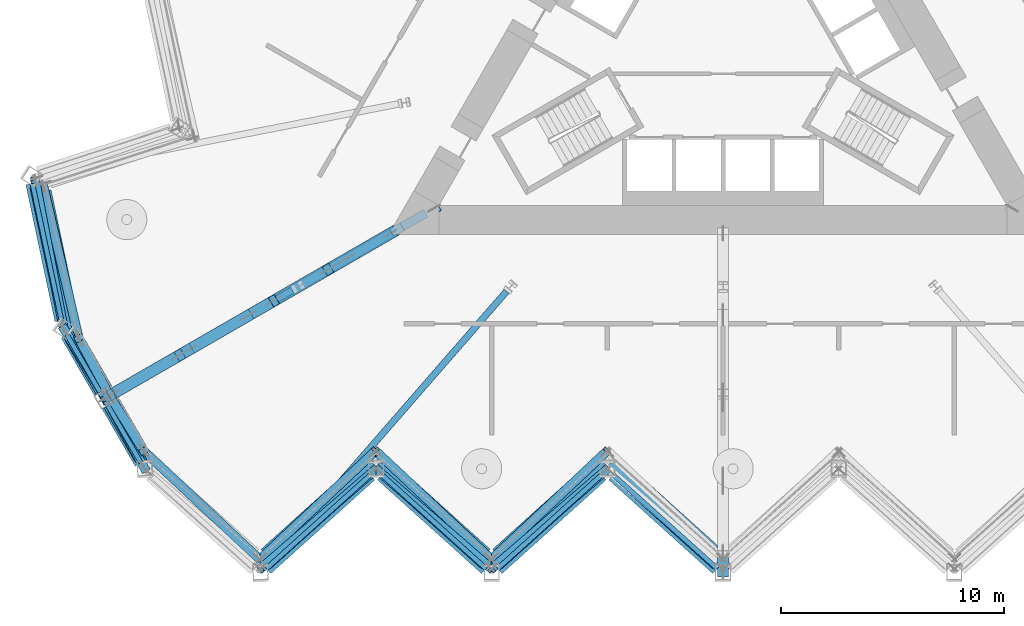
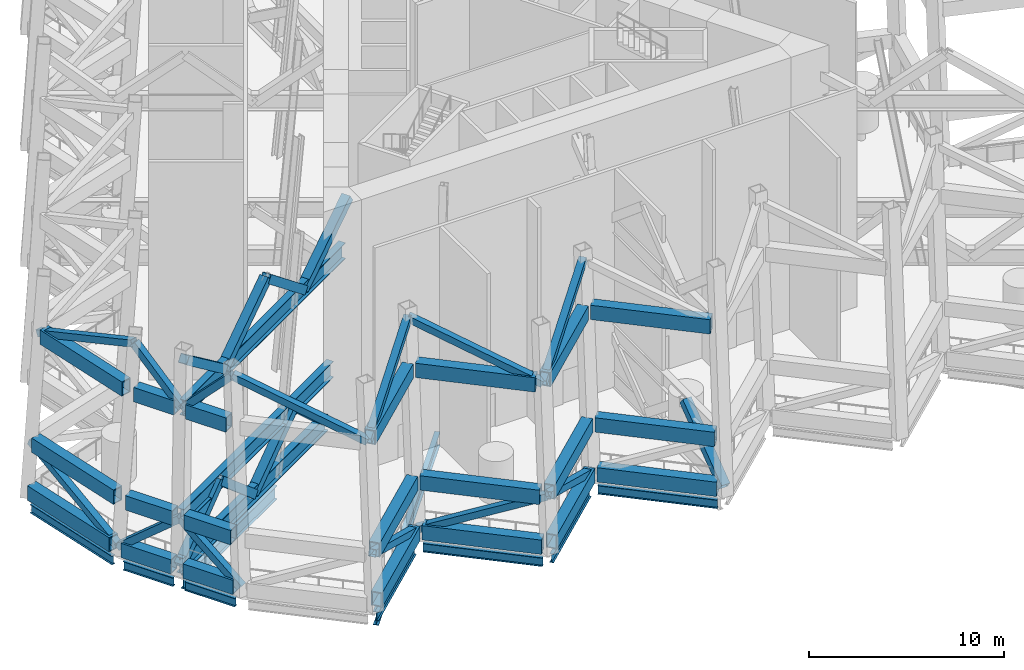
# One storey, part 2 of 19: 46 members, 9 beams.
"""IFC4 building model written with IfcOpenShell, lengths in metres."""

from ifc_helpers import new_model, si_unit, direction, frame, origin, origin_2d, place, context, subcontext, project, spatial, hollow_rectangle, i_section, extrude, material, material_profile, profile_set, type_object, element, save


model = new_model("IFC4")

# Units and contexts
model_context = context("Model", 3, precision=1e-05, world=origin(), true_north=direction((0.0, 1.0)))
body_context = subcontext(model_context, "Body", "Model", "MODEL_VIEW")
ifc_project = project(units=[si_unit("LENGTHUNIT", "METRE"), si_unit("AREAUNIT", "SQUARE_METRE"), si_unit("VOLUMEUNIT", "CUBIC_METRE"), si_unit("PLANEANGLEUNIT", "RADIAN"), si_unit("MASSUNIT", "GRAM", prefix="KILO")], contexts=[model_context])

# Site, building, storey
site_placement = place(None, origin())
site = spatial("IfcSite", under=ifc_project, at=site_placement, CompositionType="ELEMENT")
building_placement = place(site_placement, origin())
building = spatial("IfcBuilding", under=site, at=building_placement, Name="Cormorant Prow Tower", CompositionType="ELEMENT")
storey_placement = place(building_placement, frame((0.0, 0.0, 287.800048828125)))
storey = spatial("IfcBuildingStorey", under=building, at=storey_placement, Name="L64", CompositionType="ELEMENT", Elevation=287.800048828125)

# Members
ifc_material_1 = material(Name="Structural steel ASTM A572 Gr 50", Category="steel")
ifc_material_profile_1 = material_profile(ifc_material_1, hollow_rectangle(XDim=0.60009765625, YDim=0.89990234375, WallThickness=0.06005859375, at=origin_2d()), Name="Box 900x600x60")
ifc_profile_set_1 = profile_set([ifc_material_profile_1], Name="Structural steel ASTM A572 Gr 50")
member_type_1 = type_object("IfcMemberType", Name="Belt truss bottom chord 900x600x60", PredefinedType="CHORD", material=ifc_profile_set_1)
member_1_placement = place(storey_placement, frame((-20.492919921875, -23.65283203125, 0.449951171875), z_axis=(0.743156918576, 0.669117175368, 0.0), x_axis=(-0.669117175368, 0.743156918576, 0.0)))
element("IfcMember", 1, at=member_1_placement, inside=storey, type_object=member_type_1, Name="Belt truss bottom chord S01-S02 L64", PredefinedType="CHORD", context=body_context, shape_type="SweptSolid", body=[
    extrude(hollow_rectangle(XDim=0.60009765625, YDim=0.89990234375, WallThickness=0.06005859375, at=origin_2d()), origin(), (0.0, 0.0, 1.0), 6.281494140625),
])
member_2_placement = place(storey_placement, frame((-20.503662109375, -23.43603515625, 3.449951171875), z_axis=(0.743174381453, 0.669097779664, 0.0), x_axis=(-0.669097779664, 0.743174381453, 0.0)))
element("IfcMember", 2, at=member_2_placement, inside=storey, type_object=member_type_1, Name="Belt truss intermediate chord S01-S02 L64 level 1", PredefinedType="CHORD", context=body_context, shape_type="SweptSolid", body=[
    extrude(hollow_rectangle(XDim=0.60009765625, YDim=0.89990234375, WallThickness=0.06005859375, at=origin_2d()), origin(), (0.0, 0.0, 1.0), 6.28515625),
])
member_3_placement = place(storey_placement, frame((-20.524658203125, -23.00927734375, 10.25), z_axis=(0.743153289004, 0.669121206541, 0.0), x_axis=(-0.669121206541, 0.743153289004, 0.0)))
element("IfcMember", 3, at=member_3_placement, inside=storey, type_object=member_type_1, Name="Belt truss intermediate chord S01-S02 L64 level 2", PredefinedType="CHORD", context=body_context, shape_type="SweptSolid", body=[
    extrude(hollow_rectangle(XDim=0.60009765625, YDim=0.89990234375, WallThickness=0.06005859375, at=origin_2d()), origin(), (0.0, 0.0, 1.0), 6.292236328125),
])
member_4_placement = place(storey_placement, frame((-15.3046875, -19.44970703125, 0.449951171875), z_axis=(0.743156918576, -0.669117175368, 0.0), x_axis=(0.669117175368, 0.743156918576, 0.0)))
element("IfcMember", 4, at=member_4_placement, inside=storey, type_object=member_type_1, Name="Belt truss bottom chord S02-S03 L64", PredefinedType="CHORD", context=body_context, shape_type="SweptSolid", body=[
    extrude(hollow_rectangle(XDim=0.60009765625, YDim=0.89990234375, WallThickness=0.06005859375, at=origin_2d()), origin(), (0.0, 0.0, 1.0), 6.281494140625),
])
member_5_placement = place(storey_placement, frame((-15.312744140625, -19.230712890625, 3.449951171875), z_axis=(0.743174381453, -0.669097779664, 0.0), x_axis=(0.669097779664, 0.743174381453, 0.0)))
element("IfcMember", 5, at=member_5_placement, inside=storey, type_object=member_type_1, Name="Belt truss intermediate chord S02-S03 L64 level 1", PredefinedType="CHORD", context=body_context, shape_type="SweptSolid", body=[
    extrude(hollow_rectangle(XDim=0.60009765625, YDim=0.89990234375, WallThickness=0.06005859375, at=origin_2d()), origin(), (0.0, 0.0, 1.0), 6.28515625),
])
member_6_placement = place(storey_placement, frame((-15.328369140625, -18.799072265625, 10.25), z_axis=(0.743153289004, -0.669121206541, 0.0), x_axis=(0.669121206541, 0.743153289004, 0.0)))
element("IfcMember", 6, at=member_6_placement, inside=storey, type_object=member_type_1, Name="Belt truss intermediate chord S02-S03 L64 level 2", PredefinedType="CHORD", context=body_context, shape_type="SweptSolid", body=[
    extrude(hollow_rectangle(XDim=0.60009765625, YDim=0.89990234375, WallThickness=0.06005859375, at=origin_2d()), origin(), (0.0, 0.0, 1.0), 6.292236328125),
])
member_7_placement = place(storey_placement, frame((-10.116455078125, -23.65283203125, 0.449951171875), z_axis=(0.743156918576, 0.669117175368, 0.0), x_axis=(-0.669117175368, 0.743156918576, 0.0)))
element("IfcMember", 7, at=member_7_placement, inside=storey, type_object=member_type_1, Name="Belt truss bottom chord S03-S04 L64", PredefinedType="CHORD", context=body_context, shape_type="SweptSolid", body=[
    extrude(hollow_rectangle(XDim=0.60009765625, YDim=0.89990234375, WallThickness=0.06005859375, at=origin_2d()), origin(), (0.0, 0.0, 1.0), 6.281494140625),
])
member_8_placement = place(storey_placement, frame((-10.121826171875, -23.43603515625, 3.449951171875), z_axis=(0.743174381453, 0.669097779664, 0.0), x_axis=(-0.669097779664, 0.743174381453, 0.0)))
element("IfcMember", 8, at=member_8_placement, inside=storey, type_object=member_type_1, Name="Belt truss intermediate chord S03-S04 L64 level 1", PredefinedType="CHORD", context=body_context, shape_type="SweptSolid", body=[
    extrude(hollow_rectangle(XDim=0.60009765625, YDim=0.89990234375, WallThickness=0.06005859375, at=origin_2d()), origin(), (0.0, 0.0, 1.0), 6.28515625),
])
member_9_placement = place(storey_placement, frame((-10.13232421875, -23.00927734375, 10.25), z_axis=(0.743153289004, 0.669121206541, 0.0), x_axis=(-0.669121206541, 0.743153289004, 0.0)))
element("IfcMember", 9, at=member_9_placement, inside=storey, type_object=member_type_1, Name="Belt truss intermediate chord S03-S04 L64 level 2", PredefinedType="CHORD", context=body_context, shape_type="SweptSolid", body=[
    extrude(hollow_rectangle(XDim=0.60009765625, YDim=0.89990234375, WallThickness=0.06005859375, at=origin_2d()), origin(), (0.0, 0.0, 1.0), 6.292236328125),
])
member_10_placement = place(storey_placement, frame((-4.92822265625, -19.44970703125, 0.449951171875), z_axis=(0.743156918576, -0.669117175368, 0.0), x_axis=(0.669117175368, 0.743156918576, 0.0)))
element("IfcMember", 10, at=member_10_placement, inside=storey, type_object=member_type_1, Name="Belt truss bottom chord S04-S05 L64", PredefinedType="CHORD", context=body_context, shape_type="SweptSolid", body=[
    extrude(hollow_rectangle(XDim=0.60009765625, YDim=0.89990234375, WallThickness=0.06005859375, at=origin_2d()), origin(), (0.0, 0.0, 1.0), 6.281494140625),
])
member_11_placement = place(storey_placement, frame((-4.930908203125, -19.230712890625, 3.449951171875), z_axis=(0.743174381453, -0.669097779664, 0.0), x_axis=(0.669097779664, 0.743174381453, 0.0)))
element("IfcMember", 11, at=member_11_placement, inside=storey, type_object=member_type_1, Name="Belt truss intermediate chord S04-S05 L64 level 1", PredefinedType="CHORD", context=body_context, shape_type="SweptSolid", body=[
    extrude(hollow_rectangle(XDim=0.60009765625, YDim=0.89990234375, WallThickness=0.06005859375, at=origin_2d()), origin(), (0.0, 0.0, 1.0), 6.28515625),
])
member_12_placement = place(storey_placement, frame((-4.93603515625, -18.799072265625, 10.25), z_axis=(0.743153289004, -0.669121206541, 0.0), x_axis=(0.669121206541, 0.743153289004, 0.0)))
element("IfcMember", 12, at=member_12_placement, inside=storey, type_object=member_type_1, Name="Belt truss intermediate chord S04-S05 L64 level 2", PredefinedType="CHORD", context=body_context, shape_type="SweptSolid", body=[
    extrude(hollow_rectangle(XDim=0.60009765625, YDim=0.89990234375, WallThickness=0.06005859375, at=origin_2d()), origin(), (0.0, 0.0, 1.0), 6.292236328125),
])
member_13_placement = place(storey_placement, frame((-30.990478515625, -6.37158203125, 0.449951171875), z_axis=(0.207941499013, -0.978141264331, 0.0), x_axis=(0.978141264331, 0.207941499013, 0.0)))
element("IfcMember", 13, at=member_13_placement, inside=storey, type_object=member_type_1, Name="Belt truss bottom chord WNW09-WSW00 L64", PredefinedType="CHORD", context=body_context, shape_type="SweptSolid", body=[
    extrude(hollow_rectangle(XDim=0.60009765625, YDim=0.89990234375, WallThickness=0.06005859375, at=origin_2d()), origin(), (0.0, 0.0, 1.0), 6.28125),
])
member_14_placement = place(storey_placement, frame((-30.80810546875, -6.489013671875, 3.449951171875), z_axis=(0.207897315893, -0.978150656108, 0.0), x_axis=(0.978150656108, 0.207897315893, 0.0)))
element("IfcMember", 14, at=member_14_placement, inside=storey, type_object=member_type_1, Name="Belt truss intermediate chord WNW09-WSW00 L64 level 1", PredefinedType="CHORD", context=body_context, shape_type="SweptSolid", body=[
    extrude(hollow_rectangle(XDim=0.60009765625, YDim=0.89990234375, WallThickness=0.06005859375, at=origin_2d()), origin(), (0.0, 0.0, 1.0), 6.284912109375),
])
member_15_placement = place(storey_placement, frame((-30.448974609375, -6.720703125, 10.25), z_axis=(0.207899129292, -0.978150270684, 0.0), x_axis=(0.978150270684, 0.207899129292, 0.0)))
element("IfcMember", 15, at=member_15_placement, inside=storey, type_object=member_type_1, Name="Belt truss intermediate chord WNW09-WSW00 L64 level 2", PredefinedType="CHORD", context=body_context, shape_type="SweptSolid", body=[
    extrude(hollow_rectangle(XDim=0.60009765625, YDim=0.89990234375, WallThickness=0.06005859375, at=origin_2d()), origin(), (0.0, 0.0, 1.0), 6.2919921875),
])
member_16_placement = place(storey_placement, frame((-29.4365234375, -13.1611328125, 0.449951171875), z_axis=(0.499966725515, -0.866044613965, 0.0), x_axis=(0.866044613965, 0.499966725515, 0.0)))
element("IfcMember", 16, at=member_16_placement, inside=storey, type_object=member_type_1, Name="Belt truss bottom chord WSW00-WSW01 L64", PredefinedType="CHORD", context=body_context, shape_type="SweptSolid", body=[
    extrude(hollow_rectangle(XDim=0.60009765625, YDim=0.89990234375, WallThickness=0.06005859375, at=origin_2d()), origin(), (0.0, 0.0, 1.0), 2.970458984375),
])
member_17_placement = place(storey_placement, frame((-29.253662109375, -13.2822265625, 3.449951171875), z_axis=(0.49999164009, -0.866030230327, 0.0), x_axis=(0.866030230327, 0.49999164009, 0.0)))
element("IfcMember", 17, at=member_17_placement, inside=storey, type_object=member_type_1, Name="Belt truss intermediate chord WSW00-WSW01 L64 level 1", PredefinedType="CHORD", context=body_context, shape_type="SweptSolid", body=[
    extrude(hollow_rectangle(XDim=0.60009765625, YDim=0.89990234375, WallThickness=0.06005859375, at=origin_2d()), origin(), (0.0, 0.0, 1.0), 2.77392578125),
])
member_18_placement = place(storey_placement, frame((-28.89306640625, -13.520751953125, 10.25), z_axis=(0.499999840497, -0.866025495874, 0.0), x_axis=(0.866025495874, 0.499999840497, 0.0)))
element("IfcMember", 18, at=member_18_placement, inside=storey, type_object=member_type_1, Name="Belt truss intermediate chord WSW00-WSW01 L64 level 2", PredefinedType="CHORD", context=body_context, shape_type="SweptSolid", body=[
    extrude(hollow_rectangle(XDim=0.60009765625, YDim=0.89990234375, WallThickness=0.06005859375, at=origin_2d()), origin(), (0.0, 0.0, 1.0), 2.38720703125),
])
member_19_placement = place(storey_placement, frame((-27.601318359375, -16.33984375, 0.449951171875), z_axis=(0.499966725515, -0.866044613965, 0.0), x_axis=(0.866044613965, 0.499966725515, 0.0)))
element("IfcMember", 19, at=member_19_placement, inside=storey, type_object=member_type_1, Name="Belt truss bottom chord WSW01-S00 L64", PredefinedType="CHORD", context=body_context, shape_type="SweptSolid", body=[
    extrude(hollow_rectangle(XDim=0.60009765625, YDim=0.89990234375, WallThickness=0.06005859375, at=origin_2d()), origin(), (0.0, 0.0, 1.0), 2.970458984375),
])
member_20_placement = place(storey_placement, frame((-27.5166015625, -16.290771484375, 3.449951171875), z_axis=(0.499953532967, -0.866052229876, 0.0), x_axis=(0.866052229876, 0.499953532967, 0.0)))
element("IfcMember", 20, at=member_20_placement, inside=storey, type_object=member_type_1, Name="Belt truss intermediate chord WSW01-S00 L64 level 1", PredefinedType="CHORD", context=body_context, shape_type="SweptSolid", body=[
    extrude(hollow_rectangle(XDim=0.60009765625, YDim=0.89990234375, WallThickness=0.06005859375, at=origin_2d()), origin(), (0.0, 0.0, 1.0), 2.774169921875),
])
member_21_placement = place(storey_placement, frame((-27.349365234375, -16.1943359375, 10.25), z_axis=(0.499999840497, -0.866025495874, 0.0), x_axis=(0.866025495874, 0.499999840497, 0.0)))
element("IfcMember", 21, at=member_21_placement, inside=storey, type_object=member_type_1, Name="Belt truss intermediate chord WSW01-S00 L64 level 2", PredefinedType="CHORD", context=body_context, shape_type="SweptSolid", body=[
    extrude(hollow_rectangle(XDim=0.60009765625, YDim=0.89990234375, WallThickness=0.06005859375, at=origin_2d()), origin(), (0.0, 0.0, 1.0), 2.38720703125),
])
ifc_material_2 = material(Name="Structural steel ASTM A500 Gr C", Category="steel")
ifc_material_profile_2 = material_profile(ifc_material_2, hollow_rectangle(XDim=0.406494140625, YDim=0.406494140625, WallThickness=0.014892578125, at=origin_2d()), Name="HSS16x16x5/8")
ifc_profile_set_2 = profile_set([ifc_material_profile_2], Name="Structural steel ASTM A500 Gr C")
member_type_2 = type_object("IfcMemberType", Name="Belt truss diagonal HSS16x16x5/8", PredefinedType="BRACE", material=ifc_profile_set_2)
member_22_placement = place(storey_placement, frame((-20.78466796875, -23.243408203125, 10.25), z_axis=(-0.673291011365, 0.629480223133, 0.38785804452), x_axis=(-0.682941482993, -0.730473086984, 0.0)))
element("IfcMember", 22, at=member_22_placement, inside=storey, type_object=member_type_2, Name="Belt truss diagonal S00-S01 L64 upper girder band", PredefinedType="BRACE", context=body_context, shape_type="SweptSolid", body=[
    extrude(hollow_rectangle(XDim=0.406494140625, YDim=0.406494140625, WallThickness=0.014892578125, at=origin_2d()), origin(), (0.0, 0.0, 1.0), 7.73486328125),
])
member_23_placement = place(storey_placement, frame((-15.565673828125, -19.186767578125, 0.449951171875), z_axis=(-0.69385486079, -0.598499108468, 0.40045505281), x_axis=(0.653157693578, -0.757221914183, 0.0)))
element("IfcMember", 23, at=member_23_placement, inside=storey, type_object=member_type_2, Name="Belt truss diagonal S01-S02 L64 lower girder band", PredefinedType="BRACE", context=body_context, shape_type="SweptSolid", body=[
    extrude(hollow_rectangle(XDim=0.406494140625, YDim=0.406494140625, WallThickness=0.014892578125, at=origin_2d()), origin(), (0.0, 0.0, 1.0), 7.491455078125),
])
member_24_placement = place(storey_placement, frame((-10.392333984375, -23.243408203125, 10.25), z_axis=(-0.672962960775, 0.629734437253, 0.388014680086), x_axis=(-0.683266159206, -0.730169402046, 0.0)))
element("IfcMember", 24, at=member_24_placement, inside=storey, type_object=member_type_2, Name="Belt truss diagonal S02-S03 L64 upper girder band", PredefinedType="BRACE", context=body_context, shape_type="SweptSolid", body=[
    extrude(hollow_rectangle(XDim=0.406494140625, YDim=0.406494140625, WallThickness=0.014892578125, at=origin_2d()), origin(), (0.0, 0.0, 1.0), 7.731689453125),
])
member_25_placement = place(storey_placement, frame((-5.1884765625, -19.186767578125, 0.449951171875), z_axis=(-0.693533561589, -0.598756292712, 0.400627134487), x_axis=(0.653492012881, -0.756933411272, 0.0)))
element("IfcMember", 25, at=member_25_placement, inside=storey, type_object=member_type_2, Name="Belt truss diagonal S03-S04 L64 lower girder band", PredefinedType="BRACE", context=body_context, shape_type="SweptSolid", body=[
    extrude(hollow_rectangle(XDim=0.406494140625, YDim=0.406494140625, WallThickness=0.014892578125, at=origin_2d()), origin(), (0.0, 0.0, 1.0), 7.48828125),
])
member_26_placement = place(storey_placement, frame((-29.587646484375, -12.873779296875, 0.449951171875), z_axis=(-0.172927734984, 0.899537626914, 0.401158392956), x_axis=(-0.982018646854, -0.188783943253, 0.0)))
element("IfcMember", 26, at=member_26_placement, inside=storey, type_object=member_type_2, Name="Belt truss diagonal WNW09-WSW00 L64 lower girder band", PredefinedType="BRACE", context=body_context, shape_type="SweptSolid", body=[
    extrude(hollow_rectangle(XDim=0.406494140625, YDim=0.406494140625, WallThickness=0.014892578125, at=origin_2d()), origin(), (0.0, 0.0, 1.0), 7.478271484375),
])
member_27_placement = place(storey_placement, frame((-27.5244140625, -15.891357421875, 10.25), z_axis=(-0.330837585436, 0.613720930839, 0.716863383855), x_axis=(-0.880248000425, -0.474513917339, 0.0)))
element("IfcMember", 27, at=member_27_placement, inside=storey, type_object=member_type_2, Name="Belt truss diagonal WSW00-WSW01 L64 upper girder band", PredefinedType="BRACE", context=body_context, shape_type="SweptSolid", body=[
    extrude(hollow_rectangle(XDim=0.406494140625, YDim=0.406494140625, WallThickness=0.014892578125, at=origin_2d()), origin(), (0.0, 0.0, 1.0), 4.184814453125),
])
member_28_placement = place(storey_placement, frame((-25.94287109375, -19.186767578125, 0.449951171875), z_axis=(-0.370393813383, 0.677547136222, 0.635404045631), x_axis=(-0.877447331336, -0.47967299354, 0.0)))
element("IfcMember", 28, at=member_28_placement, inside=storey, type_object=member_type_2, Name="Belt truss diagonal WSW01-S00 L64 lower girder band", PredefinedType="BRACE", context=body_context, shape_type="SweptSolid", body=[
    extrude(hollow_rectangle(XDim=0.406494140625, YDim=0.406494140625, WallThickness=0.014892578125, at=origin_2d()), origin(), (0.0, 0.0, 1.0), 4.721435546875),
])
ifc_material_3 = material(Name="Structural steel ASTM A500 Gr C", Category="steel")
ifc_material_profile_3 = material_profile(ifc_material_3, hollow_rectangle(XDim=0.406494140625, YDim=0.406494140625, WallThickness=0.014892578125, at=origin_2d()), Name="HSS16x16x5/8")
ifc_profile_set_3 = profile_set([ifc_material_profile_3], Name="Structural steel ASTM A500 Gr C")
member_type_3 = type_object("IfcMemberType", Name="Belt truss strut HSS16x16x5/8", PredefinedType="STRUT", material=ifc_profile_set_3)
member_29_placement = place(storey_placement, frame((-20.78466796875, -23.243408203125, 10.25), z_axis=(0.671976421664, 0.63049756656, 0.388484886822), x_axis=(-0.684241228634, 0.729255744603, 0.0)))
element("IfcMember", 29, at=member_29_placement, inside=storey, type_object=member_type_3, Name="Belt truss strut S01-S02 L64 upper girder band", PredefinedType="STRUT", context=body_context, shape_type="SweptSolid", body=[
    extrude(hollow_rectangle(XDim=0.406494140625, YDim=0.406494140625, WallThickness=0.014892578125, at=origin_2d()), origin(), (0.0, 0.0, 1.0), 7.722412109375),
])
member_30_placement = place(storey_placement, frame((-15.565673828125, -19.186767578125, 0.449951171875), z_axis=(0.692872753917, -0.59928451588, 0.40098056799), x_axis=(0.654178919895, 0.756339831534, 0.0)))
element("IfcMember", 30, at=member_30_placement, inside=storey, type_object=member_type_3, Name="Belt truss strut S02-S03 L64 lower girder band", PredefinedType="STRUT", context=body_context, shape_type="SweptSolid", body=[
    extrude(hollow_rectangle(XDim=0.406494140625, YDim=0.406494140625, WallThickness=0.014892578125, at=origin_2d()), origin(), (0.0, 0.0, 1.0), 7.481689453125),
])
member_31_placement = place(storey_placement, frame((-10.392333984375, -23.243408203125, 10.25), z_axis=(0.672305666373, 0.630243109169, 0.388328101363), x_axis=(-0.683916032166, 0.7295607315, 0.0)))
element("IfcMember", 31, at=member_31_placement, inside=storey, type_object=member_type_3, Name="Belt truss strut S03-S04 L64 upper girder band", PredefinedType="STRUT", context=body_context, shape_type="SweptSolid", body=[
    extrude(hollow_rectangle(XDim=0.406494140625, YDim=0.406494140625, WallThickness=0.014892578125, at=origin_2d()), origin(), (0.0, 0.0, 1.0), 7.725341796875),
])
member_32_placement = place(storey_placement, frame((-30.521728515625, -6.37841796875, 10.25), z_axis=(0.208509243782, -0.897827041988, 0.387853706871), x_axis=(0.974076856997, 0.226217321755, 0.0)))
element("IfcMember", 32, at=member_32_placement, inside=storey, type_object=member_type_3, Name="Belt truss strut WNW09-WSW00 L64 upper girder band", PredefinedType="STRUT", context=body_context, shape_type="SweptSolid", body=[
    extrude(hollow_rectangle(XDim=0.406494140625, YDim=0.406494140625, WallThickness=0.014892578125, at=origin_2d()), origin(), (0.0, 0.0, 1.0), 7.73486328125),
])
member_33_placement = place(storey_placement, frame((-29.587646484375, -12.873779296875, 0.449951171875), z_axis=(0.401572595141, -0.659549118081, 0.635400984946), x_axis=(0.854136480053, 0.520048914472, 0.0)))
element("IfcMember", 33, at=member_33_placement, inside=storey, type_object=member_type_3, Name="Belt truss strut WSW00-WSW01 L64 lower girder band", PredefinedType="STRUT", context=body_context, shape_type="SweptSolid", body=[
    extrude(hollow_rectangle(XDim=0.406494140625, YDim=0.406494140625, WallThickness=0.014892578125, at=origin_2d()), origin(), (0.0, 0.0, 1.0), 4.721435546875),
])
member_34_placement = place(storey_placement, frame((-27.5244140625, -15.891357421875, 10.25), z_axis=(0.366077631874, -0.593366628493, 0.716870428761), x_axis=(0.851063062162, 0.525063485898, 0.0)))
element("IfcMember", 34, at=member_34_placement, inside=storey, type_object=member_type_3, Name="Belt truss strut WSW01-S00 L64 upper girder band", PredefinedType="STRUT", context=body_context, shape_type="SweptSolid", body=[
    extrude(hollow_rectangle(XDim=0.406494140625, YDim=0.406494140625, WallThickness=0.014892578125, at=origin_2d()), origin(), (0.0, 0.0, 1.0), 4.184814453125),
])
ifc_material_4 = material(Name="Structural steel ASTM A992 Gr 50", Category="steel")
ifc_material_profile_4 = material_profile(ifc_material_4, i_section(OverallWidth=0.39990234375, OverallDepth=1.000244140625, WebThickness=0.01904296875, FlangeThickness=0.0361328125, at=origin_2d()), Name="W40x249")
ifc_profile_set_4 = profile_set([ifc_material_profile_4], Name="Structural steel ASTM A992 Gr 50")
member_type_4 = type_object("IfcMemberType", Name="Outrigger chord W40x249", PredefinedType="CHORD", material=ifc_profile_set_4)
member_35_placement = place(storey_placement, frame((-14.8701171875, -8.585205078125, 0.5), z_axis=(-0.866025720378, -0.499999451643, 0.0), x_axis=(0.499999451643, -0.866025720378, 0.0)))
element("IfcMember", 35, at=member_35_placement, inside=storey, type_object=member_type_4, Name="Outrigger bottom chord 3 L64", PredefinedType="CHORD", context=body_context, shape_type="SweptSolid", body=[
    extrude(i_section(OverallWidth=0.39990234375, OverallDepth=1.000244140625, WebThickness=0.01904296875, FlangeThickness=0.0361328125, at=origin_2d()), origin(), (0.0, 0.0, 1.0), 14.90283203125),
])
member_36_placement = place(storey_placement, frame((-14.397705078125, -8.3125, 3.5), z_axis=(-0.866025126742, -0.500000479851, 0.0), x_axis=(0.500000479851, -0.866025126742, 0.0)))
element("IfcMember", 36, at=member_36_placement, inside=storey, type_object=member_type_4, Name="Outrigger intermediate chord 3 L64 level 1", PredefinedType="CHORD", context=body_context, shape_type="SweptSolid", body=[
    extrude(i_section(OverallWidth=0.39990234375, OverallDepth=1.000244140625, WebThickness=0.01904296875, FlangeThickness=0.0361328125, at=origin_2d()), origin(), (0.0, 0.0, 1.0), 15.3544921875),
])
member_37_placement = place(storey_placement, frame((-13.342529296875, -7.703369140625, 10.19970703125), z_axis=(-0.866027318515, -0.499996683574, 0.0), x_axis=(0.499996683574, -0.866027318515, 0.0)))
element("IfcMember", 37, at=member_37_placement, inside=storey, type_object=member_type_4, Name="Outrigger intermediate chord 3 L64 level 2", PredefinedType="CHORD", context=body_context, shape_type="SweptSolid", body=[
    extrude(i_section(OverallWidth=0.39990234375, OverallDepth=1.000244140625, WebThickness=0.01904296875, FlangeThickness=0.0361328125, at=origin_2d()), origin(), (0.0, 0.0, 1.0), 16.36328125),
])
ifc_material_5 = material(Name="Structural steel ASTM A500 Gr C", Category="steel")
ifc_material_profile_5 = material_profile(ifc_material_5, hollow_rectangle(XDim=0.508056640625, YDim=0.508056640625, WallThickness=0.014892578125, at=origin_2d()), Name="HSS20x20x5/8")
ifc_profile_set_5 = profile_set([ifc_material_profile_5], Name="Structural steel ASTM A500 Gr C")
member_type_5 = type_object("IfcMemberType", Name="Outrigger diagonal HSS20x20x5/8", PredefinedType="BRACE", material=ifc_profile_set_5)
member_38_placement = place(storey_placement, frame((-14.8701171875, -8.585205078125, 0.5), z_axis=(-0.64018960677, -0.369612080135, 0.673456886224), x_axis=(0.499998415573, -0.866026318552, 0.0)))
element("IfcMember", 38, at=member_38_placement, inside=storey, type_object=member_type_5, Name="Outrigger diagonal 3.1 L64 lower girder band", PredefinedType="BRACE", context=body_context, shape_type="SweptSolid", body=[
    extrude(hollow_rectangle(XDim=0.508056640625, YDim=0.508056640625, WallThickness=0.014892578125, at=origin_2d()), origin(), (0.0, 0.0, 1.0), 4.45458984375),
])
member_39_placement = place(storey_placement, frame((-21.3232421875, -12.31103515625, 0.5), z_axis=(-0.659046879338, -0.380497545413, 0.64875174664), x_axis=(0.499996700606, -0.866027308682, 0.0)))
element("IfcMember", 39, at=member_39_placement, inside=storey, type_object=member_type_5, Name="Outrigger diagonal 3.3 L64 lower girder band", PredefinedType="BRACE", context=body_context, shape_type="SweptSolid", body=[
    extrude(hollow_rectangle(XDim=0.508056640625, YDim=0.508056640625, WallThickness=0.014892578125, at=origin_2d()), origin(), (0.0, 0.0, 1.0), 4.624267578125),
])
member_40_placement = place(storey_placement, frame((-12.8701171875, -7.4306640625, 13.19970703125), z_axis=(-0.727086621472, -0.419779123852, -0.543259175766), x_axis=(0.499995950774, -0.866027741594, 0.0)))
element("IfcMember", 40, at=member_40_placement, inside=storey, type_object=member_type_5, Name="Outrigger diagonal 3.1 L64 upper girder band", PredefinedType="BRACE", context=body_context, shape_type="SweptSolid", body=[
    extrude(hollow_rectangle(XDim=0.508056640625, YDim=0.508056640625, WallThickness=0.014892578125, at=origin_2d()), origin(), (0.0, 0.0, 1.0), 5.522216796875),
])
member_41_placement = place(storey_placement, frame((-20.151123046875, -11.63427734375, 13.19970703125), z_axis=(-0.716068135304, -0.41343838071, -0.562418999464), x_axis=(0.50001473959, -0.866016893711, 0.0)))
element("IfcMember", 41, at=member_41_placement, inside=storey, type_object=member_type_5, Name="Outrigger diagonal 3.3 L64 upper girder band", PredefinedType="BRACE", context=body_context, shape_type="SweptSolid", body=[
    extrude(hollow_rectangle(XDim=0.508056640625, YDim=0.508056640625, WallThickness=0.014892578125, at=origin_2d()), origin(), (0.0, 0.0, 1.0), 5.333984375),
])
ifc_material_6 = material(Name="Structural steel ASTM A500 Gr C", Category="steel")
ifc_material_profile_6 = material_profile(ifc_material_6, hollow_rectangle(XDim=0.508056640625, YDim=0.508056640625, WallThickness=0.014892578125, at=origin_2d()), Name="HSS20x20x5/8")
ifc_profile_set_6 = profile_set([ifc_material_profile_6], Name="Structural steel ASTM A500 Gr C")
member_type_6 = type_object("IfcMemberType", Name="Outrigger strut HSS20x20x5/8", PredefinedType="STRUT", material=ifc_profile_set_6)
member_42_placement = place(storey_placement, frame((-17.721923828125, -10.231689453125, 3.5), z_axis=(-0.702328059709, -0.405513394654, -0.585059128039), x_axis=(0.500022287689, -0.866012535599, 0.0)))
element("IfcMember", 42, at=member_42_placement, inside=storey, type_object=member_type_6, Name="Outrigger strut 3.2 L64 lower girder band", PredefinedType="STRUT", context=body_context, shape_type="SweptSolid", body=[
    extrude(hollow_rectangle(XDim=0.508056640625, YDim=0.508056640625, WallThickness=0.014892578125, at=origin_2d()), origin(), (0.0, 0.0, 1.0), 5.127685546875),
])
member_43_placement = place(storey_placement, frame((-24.370849609375, -14.070556640625, 3.5), z_axis=(-0.688539133973, -0.397505602257, -0.606550209926), x_axis=(0.499978631166, -0.866037740735, 0.0)))
element("IfcMember", 43, at=member_43_placement, inside=storey, type_object=member_type_6, Name="Outrigger strut 3.4 L64 lower girder band", PredefinedType="STRUT", context=body_context, shape_type="SweptSolid", body=[
    extrude(hollow_rectangle(XDim=0.508056640625, YDim=0.508056640625, WallThickness=0.014892578125, at=origin_2d()), origin(), (0.0, 0.0, 1.0), 4.946044921875),
])
member_44_placement = place(storey_placement, frame((-16.88525390625, -9.748779296875, 10.19970703125), z_axis=(-0.677732451553, -0.391278143331, 0.622559345495), x_axis=(0.499989582389, -0.866031418311, 0.0)))
element("IfcMember", 44, at=member_44_placement, inside=storey, type_object=member_type_6, Name="Outrigger strut 3.2 L64 upper girder band", PredefinedType="STRUT", context=body_context, shape_type="SweptSolid", body=[
    extrude(hollow_rectangle(XDim=0.508056640625, YDim=0.508056640625, WallThickness=0.014892578125, at=origin_2d()), origin(), (0.0, 0.0, 1.0), 4.81884765625),
])
member_45_placement = place(storey_placement, frame((-23.970703125, -13.839599609375, 10.19970703125), z_axis=(-0.692648498545, -0.399888610557, 0.600272568596), x_axis=(0.499988572162, -0.866032001549, 0.0)))
element("IfcMember", 45, at=member_45_placement, inside=storey, type_object=member_type_6, Name="Outrigger strut 3.4 L64 upper girder band", PredefinedType="STRUT", context=body_context, shape_type="SweptSolid", body=[
    extrude(hollow_rectangle(XDim=0.508056640625, YDim=0.508056640625, WallThickness=0.014892578125, at=origin_2d()), origin(), (0.0, 0.0, 1.0), 4.997802734375),
])
member_46_placement = place(storey_placement, frame((0.0, -19.886962890625, 3.5), z_axis=(0.0, -0.8, -0.6), x_axis=(1.0, 0.0, 0.0)))
element("IfcMember", 46, at=member_46_placement, inside=storey, type_object=member_type_6, Name="Outrigger strut 4.4 L64 lower girder band", PredefinedType="STRUT", context=body_context, shape_type="SweptSolid", body=[
    extrude(hollow_rectangle(XDim=0.508056640625, YDim=0.508056640625, WallThickness=0.014892578125, at=origin_2d()), origin(), (0.0, 0.0, 1.0), 5.0),
])

# Beams
ifc_material_7 = material(Name="Structural steel ASTM A992 Gr 50", Category="steel")
ifc_material_profile_7 = material_profile(ifc_material_7, i_section(OverallWidth=0.29296875, OverallDepth=0.845703125, WebThickness=0.015380859375, FlangeThickness=0.0244140625, at=origin_2d()), Name="W33x141")
ifc_profile_set_7 = profile_set([ifc_material_profile_7], Name="Structural steel ASTM A992 Gr 50")
beam_type_1 = type_object("IfcBeamType", Name="Radial floor beam W33x141", PredefinedType="BEAM", material=ifc_profile_set_7)
beam_1_placement = place(storey_placement, frame((-19.32958984375, -11.159912109375, -0.77294921875), z_axis=(-0.866021726843, -0.500006368596, 0.0), x_axis=(0.500006368596, -0.866021726843, 0.0)))
element("IfcBeam", 47, at=beam_1_placement, inside=storey, type_object=beam_type_1, Name="Radial floor beam FB2 5 L64", PredefinedType="BEAM", context=body_context, shape_type="SweptSolid", body=[
    extrude(i_section(OverallWidth=0.29296875, OverallDepth=0.845703125, WebThickness=0.015380859375, FlangeThickness=0.0244140625, at=origin_2d()), origin(), (0.0, 0.0, 1.0), 9.40380859375),
])
beam_2_placement = place(storey_placement, frame((-9.70947265625, -11.210693359375, -0.77294921875), z_axis=(-0.656874593387, -0.753999846527, 0.0), x_axis=(0.753999846527, -0.656874593387, 0.0)))
element("IfcBeam", 48, at=beam_2_placement, inside=storey, type_object=beam_type_1, Name="Radial floor beam FB2 6 L64", PredefinedType="BEAM", context=body_context, shape_type="SweptSolid", body=[
    extrude(i_section(OverallWidth=0.29296875, OverallDepth=0.845703125, WebThickness=0.015380859375, FlangeThickness=0.0244140625, at=origin_2d()), origin(), (0.0, 0.0, 1.0), 16.4619140625),
])
ifc_material_8 = material(Name="Structural steel ASTM A992 Gr 50", Category="steel")
ifc_material_profile_8 = material_profile(ifc_material_8, i_section(OverallWidth=0.2138671875, OverallDepth=0.549072265625, WebThickness=0.0146484375, FlangeThickness=0.023681640625, at=origin_2d()), Name="W21x93")
ifc_profile_set_8 = profile_set([ifc_material_profile_8], Name="Structural steel ASTM A992 Gr 50")
beam_type_2 = type_object("IfcBeamType", Name="Spandrel beam W21x93", PredefinedType="SPANDREL", material=ifc_profile_set_8)
for number, where, z_axis, x_axis, name in (
    (49, (-20.492919921875, -23.65283203125, -0.62451171875), (0.743156918576, 0.669117175368, 0.0), (-0.669117175368, 0.743156918576, 0.0), "Spandrel beam SB2 S01-S02 L64"),
    (50, (-15.3046875, -19.44970703125, -0.62451171875), (0.743156918576, -0.669117175368, 0.0), (0.669117175368, 0.743156918576, 0.0), "Spandrel beam SB2 S02-S03 L64"),
    (51, (-10.116455078125, -23.65283203125, -0.62451171875), (0.743156918576, 0.669117175368, 0.0), (-0.669117175368, 0.743156918576, 0.0), "Spandrel beam SB2 S03-S04 L64"),
    (52, (-4.92822265625, -19.44970703125, -0.62451171875), (0.743156918576, -0.669117175368, 0.0), (0.669117175368, 0.743156918576, 0.0), "Spandrel beam SB2 S04-S05 L64"),
):
    element("IfcBeam", number, at=place(storey_placement, frame(where, z_axis=z_axis, x_axis=x_axis)), inside=storey, type_object=beam_type_2, Name=name, PredefinedType="SPANDREL", context=body_context, shape_type="SweptSolid", body=[
        extrude(i_section(OverallWidth=0.2138671875, OverallDepth=0.549072265625, WebThickness=0.0146484375, FlangeThickness=0.023681640625, at=origin_2d()), origin(), (0.0, 0.0, 1.0), 6.281494140625),
    ])
beam_3_placement = place(storey_placement, frame((-30.990478515625, -6.37158203125, -0.62451171875), z_axis=(0.207941499013, -0.978141264331, 0.0), x_axis=(0.978141264331, 0.207941499013, 0.0)))
element("IfcBeam", 53, at=beam_3_placement, inside=storey, type_object=beam_type_2, Name="Spandrel beam SB2 WNW09-WSW00 L64", PredefinedType="SPANDREL", context=body_context, shape_type="SweptSolid", body=[
    extrude(i_section(OverallWidth=0.2138671875, OverallDepth=0.549072265625, WebThickness=0.0146484375, FlangeThickness=0.023681640625, at=origin_2d()), origin(), (0.0, 0.0, 1.0), 6.28125),
])
for number, where, z_axis, x_axis, name in (
    (54, (-29.4365234375, -13.1611328125, -0.62451171875), (0.499966725515, -0.866044613965, 0.0), (0.866044613965, 0.499966725515, 0.0), "Spandrel beam SB2 WSW00-WSW01 L64"),
    (55, (-27.601318359375, -16.33984375, -0.62451171875), (0.499966725515, -0.866044613965, 0.0), (0.866044613965, 0.499966725515, 0.0), "Spandrel beam SB2 WSW01-S00 L64"),
):
    element("IfcBeam", number, at=place(storey_placement, frame(where, z_axis=z_axis, x_axis=x_axis)), inside=storey, type_object=beam_type_2, Name=name, PredefinedType="SPANDREL", context=body_context, shape_type="SweptSolid", body=[
        extrude(i_section(OverallWidth=0.2138671875, OverallDepth=0.549072265625, WebThickness=0.0146484375, FlangeThickness=0.023681640625, at=origin_2d()), origin(), (0.0, 0.0, 1.0), 2.970458984375),
    ])

save(model, "model.ifc")
